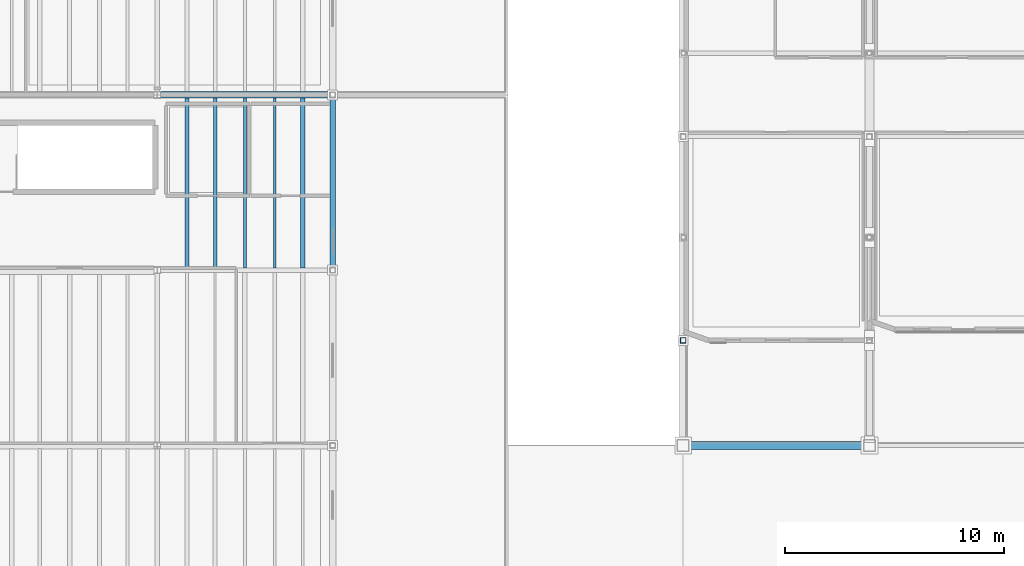
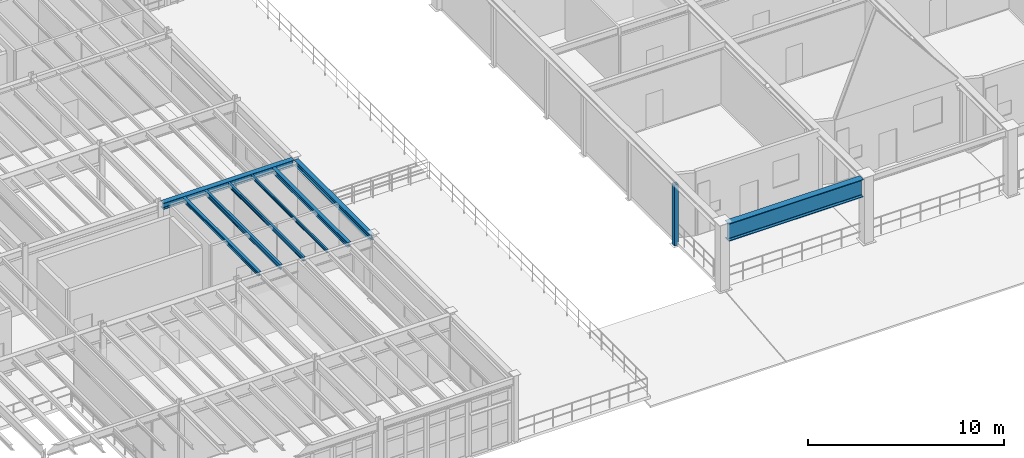
# One storey, part 15 of 78: 8 beams, 1 member.
"""IFC4 building model written with IfcOpenShell, lengths in metres."""

from ifc_helpers import new_model, si_unit, direction, frame, origin, origin_2d, place, context, subcontext, project, spatial, hollow_rectangle, i_section, extrude, material, material_profile, profile_set, type_object, element, save


model = new_model("IFC4")

# Units and contexts
model_context = context("Model", 3, precision=1e-05, world=origin(), true_north=direction((0.0, 1.0)))
body_context = subcontext(model_context, "Body", "Model", "MODEL_VIEW")
ifc_project = project(units=[si_unit("LENGTHUNIT", "METRE"), si_unit("AREAUNIT", "SQUARE_METRE"), si_unit("VOLUMEUNIT", "CUBIC_METRE"), si_unit("PLANEANGLEUNIT", "RADIAN"), si_unit("MASSUNIT", "GRAM", prefix="KILO"), si_unit("THERMODYNAMICTEMPERATUREUNIT", "KELVIN"), si_unit("POWERUNIT", "WATT")], contexts=[model_context])

# Site, building, storey
site_placement = place(None, origin())
site = spatial("IfcSite", under=ifc_project, at=site_placement, CompositionType="ELEMENT")
building_placement = place(site_placement, origin())
building = spatial("IfcBuilding", under=site, at=building_placement, Name="Zhenchuan Central Fire Station", CompositionType="ELEMENT")
storey_placement = place(building_placement, frame((0.0, 0.0, 5.85009765625)))
storey = spatial("IfcBuildingStorey", under=building, at=storey_placement, Name="L02", CompositionType="ELEMENT", Elevation=5.85009765625)

# Beams
ifc_material = material(Name="Steel Q355B", Category="steel")
ifc_material_profile_1 = material_profile(ifc_material, i_section(OverallWidth=0.25, OverallDepth=0.340087890625, WebThickness=0.009033203125, FlangeThickness=0.013916015625, FilletRadius=0.01806640625, at=origin_2d()), Name="HM 340x250")
ifc_profile_set_1 = profile_set([ifc_material_profile_1], Name="Steel Q355B")
beam_type_1 = type_object("IfcBeamType", Name="BM-HM340", PredefinedType="BEAM", material=ifc_profile_set_1)
beam_1_placement = place(storey_placement, frame((40.0, 14.625, 3.829833984375), z_axis=(0.0, 1.0, 0.0), x_axis=(-1.0, 0.0, 0.0)))
element("IfcBeam", 1, at=beam_1_placement, inside=storey, type_object=beam_type_1, Name="L03 Girder NS 0306", PredefinedType="BEAM", context=body_context, shape_type="SweptSolid", body=[
    extrude(i_section(OverallWidth=0.25, OverallDepth=0.340087890625, WebThickness=0.009033203125, FlangeThickness=0.013916015625, FilletRadius=0.01806640625, at=origin_2d()), origin(), (0.0, 0.0, 1.0), 7.75),
])
ifc_material_profile_2 = material_profile(ifc_material, i_section(OverallWidth=0.300048828125, OverallDepth=0.389892578125, WebThickness=0.010009765625, FlangeThickness=0.01611328125, FilletRadius=0.02001953125, at=origin_2d()), Name="HM 390x300")
ifc_profile_set_2 = profile_set([ifc_material_profile_2], Name="Steel Q355B")
beam_type_2 = type_object("IfcBeamType", Name="BM-HM390-INT", PredefinedType="BEAM", material=ifc_profile_set_2)
beam_2_placement = place(storey_placement, frame((32.14990234375, 22.5, 3.804931640625), z_axis=(1.0, 0.0, 0.0), x_axis=(0.0, 1.0, 0.0)))
element("IfcBeam", 2, at=beam_2_placement, inside=storey, type_object=beam_type_2, Name="L03 Girder EW 0218", PredefinedType="BEAM", context=body_context, shape_type="SweptSolid", body=[
    extrude(i_section(OverallWidth=0.300048828125, OverallDepth=0.389892578125, WebThickness=0.010009765625, FlangeThickness=0.01611328125, FilletRadius=0.02001953125, at=origin_2d()), origin(), (0.0, 0.0, 1.0), 7.72509765625),
])
ifc_material_profile_3 = material_profile(ifc_material, i_section(OverallWidth=0.3798828125, OverallDepth=1.10009765625, WebThickness=0.02001953125, FlangeThickness=0.035888671875, FilletRadius=0.02392578125, at=origin_2d()), Name="PG 1100x380")
ifc_profile_set_3 = profile_set([ifc_material_profile_3], Name="Steel Q355B")
beam_type_3 = type_object("IfcBeamType", Name="BM-PG1100", PredefinedType="BEAM", material=ifc_profile_set_3)
beam_3_placement = place(storey_placement, frame((56.27490234375, 6.5, 3.449951171875), z_axis=(1.0, 0.0, 0.0), x_axis=(0.0, 1.0, 0.0)))
element("IfcBeam", 3, at=beam_3_placement, inside=storey, type_object=beam_type_3, Name="L03 Girder EW 0196", PredefinedType="BEAM", context=body_context, shape_type="SweptSolid", body=[
    extrude(i_section(OverallWidth=0.3798828125, OverallDepth=1.10009765625, WebThickness=0.02001953125, FlangeThickness=0.035888671875, FilletRadius=0.02392578125, at=origin_2d()), origin(), (0.0, 0.0, 1.0), 7.9501953125),
])
ifc_material_profile_4 = material_profile(ifc_material, i_section(OverallWidth=0.175048828125, OverallDepth=0.243896484375, WebThickness=0.007080078125, FlangeThickness=0.010986328125, FilletRadius=0.012939453125, at=origin_2d()), Name="HM 244x175")
ifc_profile_set_4 = profile_set([ifc_material_profile_4], Name="Steel Q355B")
beam_type_4 = type_object("IfcBeamType", Name="JS-HM244", PredefinedType="JOIST", material=ifc_profile_set_4)
beam_4_placement = place(storey_placement, frame((33.360107421875, 14.596923828125, 3.8779296875), z_axis=(0.0, 1.0, 0.0), x_axis=(-1.0, 0.0, 0.0)))
element("IfcBeam", 4, at=beam_4_placement, inside=storey, type_object=beam_type_4, Name="L03 Secondary Joist 0375", PredefinedType="JOIST", context=body_context, shape_type="SweptSolid", body=[
    extrude(i_section(OverallWidth=0.175048828125, OverallDepth=0.243896484375, WebThickness=0.007080078125, FlangeThickness=0.010986328125, FilletRadius=0.012939453125, at=origin_2d()), origin(), (0.0, 0.0, 1.0), 7.756103515625),
])
ifc_material_profile_5 = material_profile(ifc_material, i_section(OverallWidth=0.199951171875, OverallDepth=0.2939453125, WebThickness=0.008056640625, FlangeThickness=0.011962890625, FilletRadius=0.01611328125, at=origin_2d()), Name="HM 294x200")
ifc_profile_set_5 = profile_set([ifc_material_profile_5], Name="Steel Q355B")
beam_type_5 = type_object("IfcBeamType", Name="JS-HM294", PredefinedType="JOIST", material=ifc_profile_set_5)
beam_5_placement = place(storey_placement, frame((38.639892578125, 14.596923828125, 3.852783203125), z_axis=(0.0, 1.0, 0.0), x_axis=(-1.0, 0.0, 0.0)))
element("IfcBeam", 5, at=beam_5_placement, inside=storey, type_object=beam_type_5, Name="L03 Secondary Joist 0379", PredefinedType="JOIST", context=body_context, shape_type="SweptSolid", body=[
    extrude(i_section(OverallWidth=0.199951171875, OverallDepth=0.2939453125, WebThickness=0.008056640625, FlangeThickness=0.011962890625, FilletRadius=0.01611328125, at=origin_2d()), origin(), (0.0, 0.0, 1.0), 7.756103515625),
])
ifc_material_profile_6 = material_profile(ifc_material, i_section(OverallWidth=0.10009765625, OverallDepth=0.199951171875, WebThickness=0.005615234375, FlangeThickness=0.008056640625, FilletRadius=0.010986328125, at=origin_2d()), Name="HN 200x100")
ifc_profile_set_6 = profile_set([ifc_material_profile_6], Name="Steel Q355B")
beam_type_6 = type_object("IfcBeamType", Name="JS-HN200", PredefinedType="JOIST", material=ifc_profile_set_6)
beam_6_placement = place(storey_placement, frame((37.360107421875, 14.596923828125, 3.89990234375), z_axis=(0.0, 1.0, 0.0), x_axis=(-1.0, 0.0, 0.0)))
element("IfcBeam", 6, at=beam_6_placement, inside=storey, type_object=beam_type_6, Name="L03 Secondary Joist 0378", PredefinedType="JOIST", context=body_context, shape_type="SweptSolid", body=[
    extrude(i_section(OverallWidth=0.10009765625, OverallDepth=0.199951171875, WebThickness=0.005615234375, FlangeThickness=0.008056640625, FilletRadius=0.010986328125, at=origin_2d()), origin(), (0.0, 0.0, 1.0), 7.756103515625),
])
ifc_material_profile_7 = material_profile(ifc_material, i_section(OverallWidth=0.125, OverallDepth=0.25, WebThickness=0.006103515625, FlangeThickness=0.009033203125, FilletRadius=0.011962890625, at=origin_2d()), Name="HN 250x125")
ifc_profile_set_7 = profile_set([ifc_material_profile_7], Name="Steel Q355B")
beam_type_7 = type_object("IfcBeamType", Name="JS-HN250", PredefinedType="JOIST", material=ifc_profile_set_7)
beam_7_placement = place(storey_placement, frame((36.0, 14.596923828125, 3.875), z_axis=(0.0, 1.0, 0.0), x_axis=(-1.0, 0.0, 0.0)))
element("IfcBeam", 7, at=beam_7_placement, inside=storey, type_object=beam_type_7, Name="L03 Secondary Joist 0377", PredefinedType="JOIST", context=body_context, shape_type="SweptSolid", body=[
    extrude(i_section(OverallWidth=0.125, OverallDepth=0.25, WebThickness=0.006103515625, FlangeThickness=0.009033203125, FilletRadius=0.011962890625, at=origin_2d()), origin(), (0.0, 0.0, 1.0), 7.756103515625),
])
ifc_material_profile_8 = material_profile(ifc_material, i_section(OverallWidth=0.14990234375, OverallDepth=0.300048828125, WebThickness=0.006591796875, FlangeThickness=0.009033203125, FilletRadius=0.012939453125, at=origin_2d()), Name="HN 300x150")
ifc_profile_set_8 = profile_set([ifc_material_profile_8], Name="Steel Q355B")
beam_type_8 = type_object("IfcBeamType", Name="JS-HN300", PredefinedType="JOIST", material=ifc_profile_set_8)
beam_8_placement = place(storey_placement, frame((34.639892578125, 14.596923828125, 3.849853515625), z_axis=(0.0, 1.0, 0.0), x_axis=(-1.0, 0.0, 0.0)))
element("IfcBeam", 8, at=beam_8_placement, inside=storey, type_object=beam_type_8, Name="L03 Secondary Joist 0376", PredefinedType="JOIST", context=body_context, shape_type="SweptSolid", body=[
    extrude(i_section(OverallWidth=0.14990234375, OverallDepth=0.300048828125, WebThickness=0.006591796875, FlangeThickness=0.009033203125, FilletRadius=0.012939453125, at=origin_2d()), origin(), (0.0, 0.0, 1.0), 7.756103515625),
])

# Member
ifc_material_profile_9 = material_profile(ifc_material, hollow_rectangle(XDim=0.25, YDim=0.25, WallThickness=0.011962890625, at=origin_2d()), Name="SHS 250x250x12")
ifc_profile_set_9 = profile_set([ifc_material_profile_9], Name="Steel Q355B")
member_type = type_object("IfcMemberType", Name="MB-CH-SHS250", PredefinedType="CHORD", material=ifc_profile_set_9)
member_placement = place(storey_placement, frame((56.0, 11.300048828125, -0.2001953125), z_axis=(0.0, 0.0, 1.0), x_axis=(1.0, 0.0, 0.0)))
element("IfcMember", 9, at=member_placement, inside=storey, type_object=member_type, Name="Transfer Truss TT-01 Web Post 1", PredefinedType="CHORD", context=body_context, shape_type="SweptSolid", body=[
    extrude(hollow_rectangle(XDim=0.25, YDim=0.25, WallThickness=0.011962890625, at=origin_2d()), origin(), (0.0, 0.0, 1.0), 3.800048828125),
])

save(model, "model.ifc")
